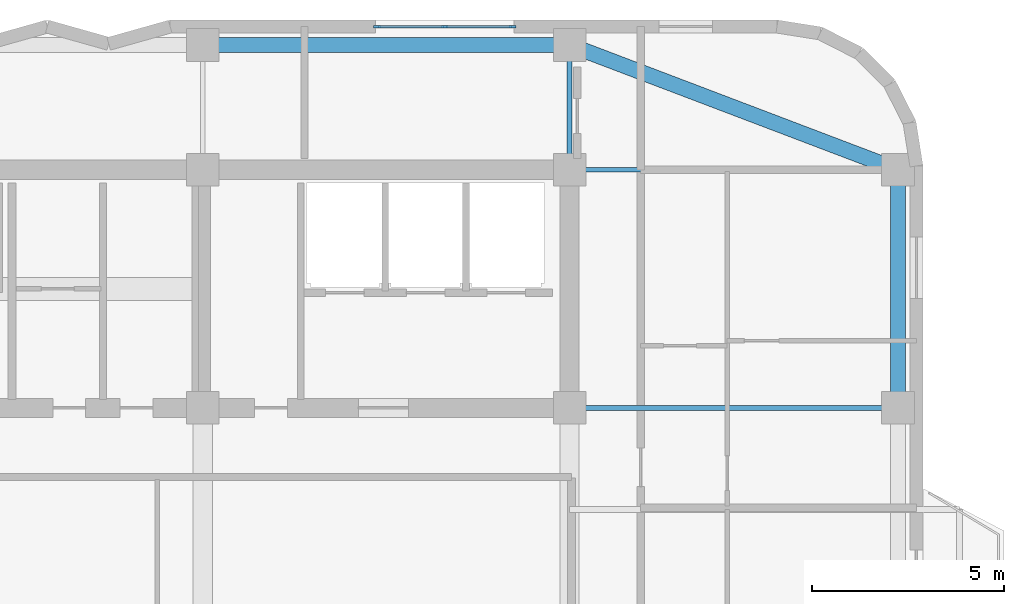
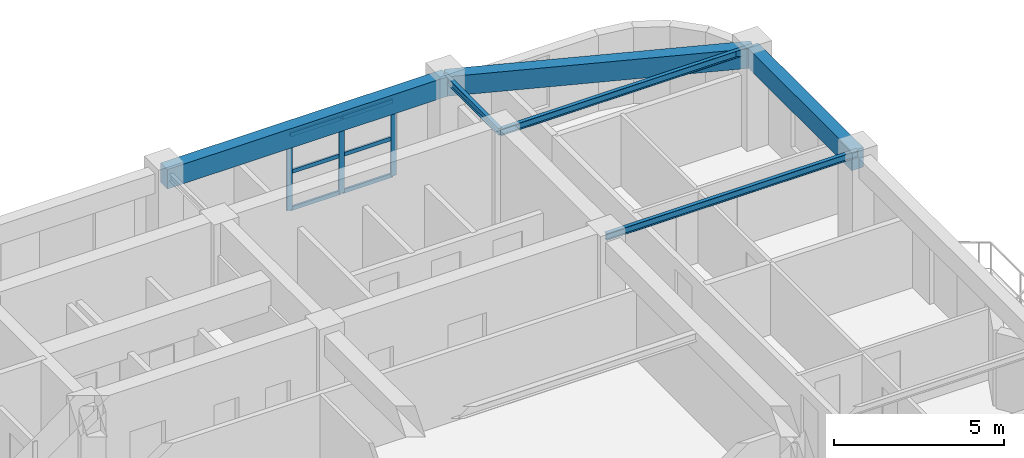
# One storey, part 6 of 14: 9 members, 6 beams, 1 element without a shape of its own.
"""IFC4 building model written with IfcOpenShell, lengths in metres."""

import ifcopenshell
import ifcopenshell.guid

model = None  # the IFC model being written
_history = None  # IfcOwnerHistory: only IFC2X3 demands one
_inside = {}  # id of a spatial element -> (the spatial element, [elements in it])
_under = {}  # id of a project, library or spatial element -> (it, [spatial elements below it])
_declared = {}  # id of a project -> (the project, [libraries it declares])
_typed = {}  # id of a type object -> (the type object, [elements of that type])
_made_of = {}  # id of a material, layer set ... -> (it, [elements and type objects made of it])


def new_model(schema):
    """Start an empty IFC model of exactly this schema.

    Asked for "IFC4X3", IfcOpenShell would pick the latest addendum, in which some entities
    have other attributes; the version numbers below select the first issue.
    IFC2X3 requires an IfcOwnerHistory on every rooted entity: one is made here for all.
    """
    global model, _history
    if schema == "IFC4X3":
        model = ifcopenshell.file(schema_version=(4, 3, 0, 0))
    else:
        model = ifcopenshell.file(schema=schema)
    _inside.clear()
    _under.clear()
    _declared.clear()
    _typed.clear()
    _made_of.clear()
    _history = None
    if model.schema == "IFC2X3":
        org = make("IfcOrganization", Name="unknown")
        user = make(
            "IfcPersonAndOrganization",
            ThePerson=make("IfcPerson", FamilyName="unknown"),
            TheOrganization=org,
        )
        app = make(
            "IfcApplication",
            ApplicationDeveloper=org,
            Version="unknown",
            ApplicationFullName="unknown",
            ApplicationIdentifier="unknown",
        )
        _history = make(
            "IfcOwnerHistory",
            OwningUser=user,
            OwningApplication=app,
            ChangeAction="ADDED",
            CreationDate=0,
        )
    return model


def make(cls, **values):
    """One entity of the class cls with the attributes given. An attribute that is None is left unset."""
    return model.create_entity(
        cls, **{name: value for name, value in values.items() if value is not None}
    )


def rooted(cls, **values):
    """An entity with a GlobalId (a new one), such as an element, a storey or a relation."""
    return make(cls, GlobalId=ifcopenshell.guid.new(), OwnerHistory=_history, **values)


def si_unit(unit_type, name, prefix=None):
    """IfcSIUnit, for example si_unit("LENGTHUNIT", "METRE", prefix="MILLI")."""
    return make("IfcSIUnit", UnitType=unit_type, Prefix=prefix, Name=name)


def assignment(units):
    """IfcUnitAssignment: the units of a project."""
    return None if units is None else make("IfcUnitAssignment", Units=units)


def point(xyz):
    """IfcCartesianPoint."""
    return None if xyz is None else make("IfcCartesianPoint", Coordinates=xyz)


def direction(xyz):
    """IfcDirection."""
    return None if xyz is None else make("IfcDirection", DirectionRatios=xyz)


def frame(location, z_axis=None, x_axis=None):
    """IfcAxis2Placement3D, a coordinate frame: its origin and axes. An axis left out is left unset."""
    return make(
        "IfcAxis2Placement3D",
        Location=point(location),
        Axis=direction(z_axis),
        RefDirection=direction(x_axis),
    )


def frame_2d(location, x_axis=None):
    """IfcAxis2Placement2D, a coordinate frame in the plane: its origin and x axis."""
    return make(
        "IfcAxis2Placement2D", Location=point(location), RefDirection=direction(x_axis)
    )


def origin():
    """The frame at (0, 0, 0) with its axes left unset."""
    return frame((0.0, 0.0, 0.0))


def origin_2d():
    """The frame at (0, 0) in the plane with its x axis left unset."""
    return frame_2d((0.0, 0.0))


def place(relative_to, where):
    """IfcLocalPlacement: puts the frame where relative to a parent placement (None: the world)."""
    return make(
        "IfcLocalPlacement", PlacementRelTo=relative_to, RelativePlacement=where
    )


def context(
    kind, dimensions, precision=None, world=None, true_north=None, identifier=None
):
    """IfcGeometricRepresentationContext, for example the 3D "Model" context."""
    return make(
        "IfcGeometricRepresentationContext",
        ContextIdentifier=identifier,
        ContextType=kind,
        CoordinateSpaceDimension=dimensions,
        Precision=precision,
        WorldCoordinateSystem=world,
        TrueNorth=true_north,
    )


def subcontext(parent, identifier, kind, view, scale=None):
    """IfcGeometricRepresentationSubContext, for example "Body" below "Model"."""
    return make(
        "IfcGeometricRepresentationSubContext",
        ContextIdentifier=identifier,
        ContextType=kind,
        ParentContext=parent,
        TargetScale=scale,
        TargetView=view,
    )


def project(units=None, contexts=None):
    """IfcProject with its units and contexts."""
    return rooted(
        "IfcProject",
        Name="project",
        RepresentationContexts=contexts,
        UnitsInContext=assignment(units),
    )


def spatial(cls, under=None, at=None, **own):
    """A site, building, storey or space (cls), placed at a placement, below another one or the project."""
    s = rooted(cls, ObjectPlacement=at, **own)
    if under is not None:
        _under.setdefault(under.id(), (under, []))[1].append(s)
    return s


def profile(cls, at=None, kind="AREA", **sizes):
    """A parametric profile (cls). Its sizes go by their IFC names, for example OverallWidth=200.0."""
    return make(cls, ProfileType=kind, Position=at, **sizes)


def rectangle(**sizes):
    """IfcRectangleProfileDef."""
    return profile("IfcRectangleProfileDef", **sizes)


def i_section(**sizes):
    """IfcIShapeProfileDef."""
    return profile("IfcIShapeProfileDef", **sizes)


def extrude(swept, where, along, depth):
    """IfcExtrudedAreaSolid: the profile swept, set in the frame where, extruded along a direction by depth."""
    return make(
        "IfcExtrudedAreaSolid",
        SweptArea=swept,
        Position=where,
        ExtrudedDirection=direction(along),
        Depth=depth,
    )


def shape(context_of_items, identifier, shape_type, items):
    """IfcShapeRepresentation: the items that make up one representation, for example the "Body"."""
    return make(
        "IfcShapeRepresentation",
        ContextOfItems=context_of_items,
        RepresentationIdentifier=identifier,
        RepresentationType=shape_type,
        Items=items,
    )


def material(Name=None, Category=None):
    """IfcMaterial."""
    return make("IfcMaterial", Name=Name, Category=Category)


def material_profile(
    of_material, cross_section, Name=None, Category=None, Priority=None
):
    """IfcMaterialProfile: a cross section and its material."""
    return make(
        "IfcMaterialProfile",
        Name=Name,
        Material=of_material,
        Profile=cross_section,
        Priority=Priority,
        Category=Category,
    )


def profile_set(profiles, Name=None, composite=None):
    """IfcMaterialProfileSet."""
    return make(
        "IfcMaterialProfileSet",
        Name=Name,
        MaterialProfiles=profiles,
        CompositeProfile=composite,
    )


def made_of(thing, what):
    """Note that an element or type object is made of a material, layer set ...; save() writes the relation."""
    if what is not None:
        _made_of.setdefault(what.id(), (what, []))[1].append(thing)
    return thing


def type_object(cls, material=None, **own):
    """A type object (cls), such as IfcWallType, which elements share."""
    return made_of(rooted(cls, **own), material)


def element(
    cls,
    number,
    at=None,
    inside=None,
    cuts=None,
    type_object=None,
    material=None,
    context=None,
    identifier="Body",
    shape_type=None,
    held_by="IfcProductDefinitionShape",
    body=None,
    shapes=None,
    **own,
):
    """One element of the class cls, such as IfcWall. Its Tag is "e" and its number.

    at: its placement. inside: the storey or other place that contains it. cuts: it is an
    opening in that element (IfcRelVoidsElement). A single representation is given by context,
    identifier, shape_type and body (its items); several are given by shapes. held_by: the class
    of the entity that holds the representations. save() writes the other relations.
    """
    e = rooted(cls, Tag="e%d" % number, ObjectPlacement=at, **own)
    if body is not None:
        shapes = [shape(context, identifier, shape_type, body)]
    if shapes is not None:
        e.Representation = make(held_by, Representations=shapes)
    if inside is not None:
        _inside.setdefault(inside.id(), (inside, []))[1].append(e)
    if cuts is not None:
        rooted(
            "IfcRelVoidsElement", RelatingBuildingElement=cuts, RelatedOpeningElement=e
        )
    if type_object is not None:
        _typed.setdefault(type_object.id(), (type_object, []))[1].append(e)
    return made_of(e, material)


def aggregate(whole, parts):
    """IfcRelAggregates: a whole, such as a stair, and the parts it consists of."""
    return rooted("IfcRelAggregates", RelatingObject=whole, RelatedObjects=parts)


def save(model, path):
    """Write the relations noted so far, then the file.

    IfcRelAggregates (storeys below a building ...), IfcRelContainedInSpatialStructure (elements
    in a storey), IfcRelDefinesByType, IfcRelAssociatesMaterial and IfcRelDeclares: one each for
    every whole, place, type object, material and project.
    """
    for whole, parts in _under.values():
        aggregate(whole, parts)
    for where, things in _inside.values():
        rooted(
            "IfcRelContainedInSpatialStructure",
            RelatedElements=things,
            RelatingStructure=where,
        )
    for kind, things in _typed.values():
        rooted("IfcRelDefinesByType", RelatedObjects=things, RelatingType=kind)
    for what, things in _made_of.values():
        rooted("IfcRelAssociatesMaterial", RelatedObjects=things, RelatingMaterial=what)
    for by, libraries in _declared.values():
        rooted("IfcRelDeclares", RelatingContext=by, RelatedDefinitions=libraries)
    model.write(path)


model = new_model("IFC4")

# Units and contexts
model_context = context("Model", 3, precision=1e-05, world=origin(), true_north=direction((0.0, 1.0)))
body_context = subcontext(model_context, "Body", "Model", "MODEL_VIEW")
ifc_project = project(units=[si_unit("LENGTHUNIT", "METRE"), si_unit("AREAUNIT", "SQUARE_METRE"), si_unit("VOLUMEUNIT", "CUBIC_METRE"), si_unit("PLANEANGLEUNIT", "RADIAN"), si_unit("MASSUNIT", "GRAM", prefix="KILO")], contexts=[model_context])

# Site, building, storey
site_placement = place(None, origin())
site = spatial("IfcSite", under=ifc_project, at=site_placement, CompositionType="ELEMENT")
building_placement = place(site_placement, origin())
building = spatial("IfcBuilding", under=site, at=building_placement, Name="Svetorya Sky Lyceum", CompositionType="ELEMENT")
storey_placement = place(building_placement, frame((0.0, 0.0, 218.39990234375)))
storey = spatial("IfcBuildingStorey", under=building, at=storey_placement, Name="L54", CompositionType="ELEMENT", Elevation=218.39990234375)

# Beams
ifc_material_1 = material(Name="Concrete C50/60", Category="concrete")
ifc_material_profile_1 = material_profile(ifc_material_1, rectangle(XDim=0.39990234375, YDim=0.699951171875, at=origin_2d()), Name="RC SPANDREL 400x700")
ifc_profile_set_1 = profile_set([ifc_material_profile_1], Name="Concrete C50/60")
beam_type_1 = type_object("IfcBeamType", Name="BM-SPN-700", PredefinedType="SPANDREL", material=ifc_profile_set_1)
beam_1_placement = place(storey_placement, frame((43.25, 49.050048828125, 3.090087890625), z_axis=(1.0, 0.0, 0.0), x_axis=(0.0, 1.0, 0.0)))
element("IfcBeam", 1, at=beam_1_placement, inside=storey, type_object=beam_type_1, Name="L54 North Spandrel 3", PredefinedType="SPANDREL", context=body_context, shape_type="SweptSolid", body=[
    extrude(rectangle(XDim=0.39990234375, YDim=0.699951171875, at=origin_2d()), origin(), (0.0, 0.0, 1.0), 9.550048828125),
])
beam_2_placement = place(storey_placement, frame((61.35009765625, 45.800048828125, 3.090087890625), z_axis=(-0.934747947367, 0.355311518099, 0.0), x_axis=(-0.355311518099, -0.934747947367, 0.0)))
element("IfcBeam", 2, at=beam_2_placement, inside=storey, type_object=beam_type_1, Name="L54 Corner Spandrel 3", PredefinedType="SPANDREL", context=body_context, shape_type="SweptSolid", body=[
    extrude(rectangle(XDim=0.39990234375, YDim=0.699951171875, at=origin_2d()), origin(), (0.0, 0.0, 1.0), 9.14697265625),
])
beam_3_placement = place(storey_placement, frame((61.35009765625, 39.60009765625, 3.090087890625), z_axis=(0.0, 1.0, 0.0), x_axis=(-1.0, 0.0, 0.0)))
element("IfcBeam", 3, at=beam_3_placement, inside=storey, type_object=beam_type_1, Name="L54 East Spandrel 4", PredefinedType="SPANDREL", context=body_context, shape_type="SweptSolid", body=[
    extrude(rectangle(XDim=0.39990234375, YDim=0.699951171875, at=origin_2d()), origin(), (0.0, 0.0, 1.0), 6.199951171875),
])
ifc_material_2 = material(Name="Steel S355", Category="steel")
ifc_material_profile_2 = material_profile(ifc_material_2, i_section(OverallWidth=0.1240234375, OverallDepth=0.248046875, WebThickness=0.006103515625, FlangeThickness=0.009521484375, at=origin_2d()), Name="GOST 25B2")
ifc_profile_set_2 = profile_set([ifc_material_profile_2], Name="Steel S355")
beam_type_2 = type_object("IfcBeamType", Name="BM-STL-25B2", PredefinedType="JOIST", material=ifc_profile_set_2)
for number, where, z_axis, x_axis, name in (
    (4, (52.800048828125, 39.60009765625, 3.316162109375), (1.0, 0.0, 0.0), (0.0, 1.0, 0.0), "L54 East Wing Floor Joist E4"),
    (5, (52.800048828125, 45.800048828125, 3.316162109375), (1.0, 0.0, 0.0), (0.0, 1.0, 0.0), "L54 East Wing Floor Joist E5"),
):
    element("IfcBeam", number, at=place(storey_placement, frame(where, z_axis=z_axis, x_axis=x_axis)), inside=storey, type_object=beam_type_2, Name=name, PredefinedType="JOIST", context=body_context, shape_type="SweptSolid", body=[
        extrude(i_section(OverallWidth=0.1240234375, OverallDepth=0.248046875, WebThickness=0.006103515625, FlangeThickness=0.009521484375, at=origin_2d()), origin(), (0.0, 0.0, 1.0), 8.550048828125),
    ])
beam_4_placement = place(storey_placement, frame((52.800048828125, 45.800048828125, 3.316162109375), z_axis=(0.0, 1.0, 0.0), x_axis=(-1.0, 0.0, 0.0)))
element("IfcBeam", 6, at=beam_4_placement, inside=storey, type_object=beam_type_2, Name="L54 North Bay Floor Girder N4", PredefinedType="JOIST", context=body_context, shape_type="SweptSolid", body=[
    extrude(i_section(OverallWidth=0.1240234375, OverallDepth=0.248046875, WebThickness=0.006103515625, FlangeThickness=0.009521484375, at=origin_2d()), origin(), (0.0, 0.0, 1.0), 3.25),
])

# Curtain wall, members
ifc_material_3 = material(Name="Thermally broken anodized aluminium and triple low-E glass", Category="aluminium")
curtain_wall_type = type_object("IfcCurtainWallType", Name="CW3-LOG-RES", PredefinedType="NOTDEFINED", material=ifc_material_3)
curtain_wall_placement = place(storey_placement, origin())
curtain_wall = element("IfcCurtainWall", 7, at=curtain_wall_placement, inside=storey, type_object=curtain_wall_type, Name="L54 Recessed Loggia Curtain Wall 29", PredefinedType="NOTDEFINED")
ifc_material_4 = material(Name="Thermally broken anodized aluminium EN AW-6060", Category="aluminium")
ifc_material_profile_3 = material_profile(ifc_material_4, rectangle(XDim=0.06494140625, YDim=0.179931640625, at=origin_2d()), Name="ALU MULLION 65x180")
ifc_profile_set_3 = profile_set([ifc_material_profile_3], Name="Thermally broken anodized aluminium EN AW-6060")
member_type_1 = type_object("IfcMemberType", Name="CWM-MUL-180", PredefinedType="MULLION", material=ifc_profile_set_3)
member_1_placement = place(storey_placement, frame((51.3173828125, 49.530029296875, 0.0), z_axis=(0.0, 0.0, 1.0), x_axis=(0.0, -1.0, 0.0)))
member_1 = element("IfcMember", 8, at=member_1_placement, type_object=member_type_1, Name="CW-3 mullion 1", PredefinedType="MULLION", context=body_context, shape_type="SweptSolid", body=[
    extrude(rectangle(XDim=0.06494140625, YDim=0.179931640625, at=origin_2d()), origin(), (0.0, 0.0, 1.0), 2.72021484375),
])
member_2_placement = place(storey_placement, frame((49.550048828125, 49.530029296875, 0.0), z_axis=(0.0, 0.0, 1.0), x_axis=(0.0, -1.0, 0.0)))
member_2 = element("IfcMember", 9, at=member_2_placement, type_object=member_type_1, Name="CW-3 mullion 2", PredefinedType="MULLION", context=body_context, shape_type="SweptSolid", body=[
    extrude(rectangle(XDim=0.06494140625, YDim=0.179931640625, at=origin_2d()), origin(), (0.0, 0.0, 1.0), 2.72021484375),
])
member_3_placement = place(storey_placement, frame((47.782470703125, 49.530029296875, 0.0), z_axis=(0.0, 0.0, 1.0), x_axis=(0.0, -1.0, 0.0)))
member_3 = element("IfcMember", 10, at=member_3_placement, type_object=member_type_1, Name="CW-3 mullion 3", PredefinedType="MULLION", context=body_context, shape_type="SweptSolid", body=[
    extrude(rectangle(XDim=0.06494140625, YDim=0.179931640625, at=origin_2d()), origin(), (0.0, 0.0, 1.0), 2.72021484375),
])
ifc_material_profile_4 = material_profile(ifc_material_4, rectangle(XDim=0.06494140625, YDim=0.139892578125, at=origin_2d()), Name="ALU TRANSOM 65x140")
ifc_profile_set_4 = profile_set([ifc_material_profile_4], Name="Thermally broken anodized aluminium EN AW-6060")
member_type_2 = type_object("IfcMemberType", Name="CWM-TRN-140", PredefinedType="USERDEFINED", material=ifc_profile_set_4)
member_4_placement = place(storey_placement, frame((51.28662109375, 49.530029296875, 0.03271484375), z_axis=(-1.0, 0.0, 0.0), x_axis=(0.0, -1.0, 0.0)))
member_4 = element("IfcMember", 11, at=member_4_placement, type_object=member_type_2, Name="CW-3 transom 1.1", ObjectType="TRANSOM", PredefinedType="USERDEFINED", context=body_context, shape_type="SweptSolid", body=[
    extrude(rectangle(XDim=0.06494140625, YDim=0.139892578125, at=origin_2d()), origin(), (0.0, 0.0, 1.0), 1.70556640625),
])
member_5_placement = place(storey_placement, frame((51.28662109375, 49.530029296875, 1.360107421875), z_axis=(-1.0, 0.0, 0.0), x_axis=(0.0, -1.0, 0.0)))
member_5 = element("IfcMember", 12, at=member_5_placement, type_object=member_type_2, Name="CW-3 transom 1.2", ObjectType="TRANSOM", PredefinedType="USERDEFINED", context=body_context, shape_type="SweptSolid", body=[
    extrude(rectangle(XDim=0.06494140625, YDim=0.139892578125, at=origin_2d()), origin(), (0.0, 0.0, 1.0), 1.70556640625),
])
member_6_placement = place(storey_placement, frame((51.28662109375, 49.530029296875, 2.6875), z_axis=(-1.0, 0.0, 0.0), x_axis=(0.0, -1.0, 0.0)))
member_6 = element("IfcMember", 13, at=member_6_placement, type_object=member_type_2, Name="CW-3 transom 1.3", ObjectType="TRANSOM", PredefinedType="USERDEFINED", context=body_context, shape_type="SweptSolid", body=[
    extrude(rectangle(XDim=0.06494140625, YDim=0.139892578125, at=origin_2d()), origin(), (0.0, 0.0, 1.0), 1.70556640625),
])
member_7_placement = place(storey_placement, frame((49.51904296875, 49.530029296875, 0.03271484375), z_axis=(-1.0, 0.0, 0.0), x_axis=(0.0, -1.0, 0.0)))
member_7 = element("IfcMember", 14, at=member_7_placement, type_object=member_type_2, Name="CW-3 transom 2.1", ObjectType="TRANSOM", PredefinedType="USERDEFINED", context=body_context, shape_type="SweptSolid", body=[
    extrude(rectangle(XDim=0.06494140625, YDim=0.139892578125, at=origin_2d()), origin(), (0.0, 0.0, 1.0), 1.70556640625),
])
member_8_placement = place(storey_placement, frame((49.51904296875, 49.530029296875, 1.360107421875), z_axis=(-1.0, 0.0, 0.0), x_axis=(0.0, -1.0, 0.0)))
member_8 = element("IfcMember", 15, at=member_8_placement, type_object=member_type_2, Name="CW-3 transom 2.2", ObjectType="TRANSOM", PredefinedType="USERDEFINED", context=body_context, shape_type="SweptSolid", body=[
    extrude(rectangle(XDim=0.06494140625, YDim=0.139892578125, at=origin_2d()), origin(), (0.0, 0.0, 1.0), 1.70556640625),
])
member_9_placement = place(storey_placement, frame((49.51904296875, 49.530029296875, 2.6875), z_axis=(-1.0, 0.0, 0.0), x_axis=(0.0, -1.0, 0.0)))
member_9 = element("IfcMember", 16, at=member_9_placement, type_object=member_type_2, Name="CW-3 transom 2.3", ObjectType="TRANSOM", PredefinedType="USERDEFINED", context=body_context, shape_type="SweptSolid", body=[
    extrude(rectangle(XDim=0.06494140625, YDim=0.139892578125, at=origin_2d()), origin(), (0.0, 0.0, 1.0), 1.70556640625),
])
aggregate(curtain_wall, [member_1, member_2, member_3, member_4, member_5, member_6, member_7, member_8, member_9])

save(model, "model.ifc")
